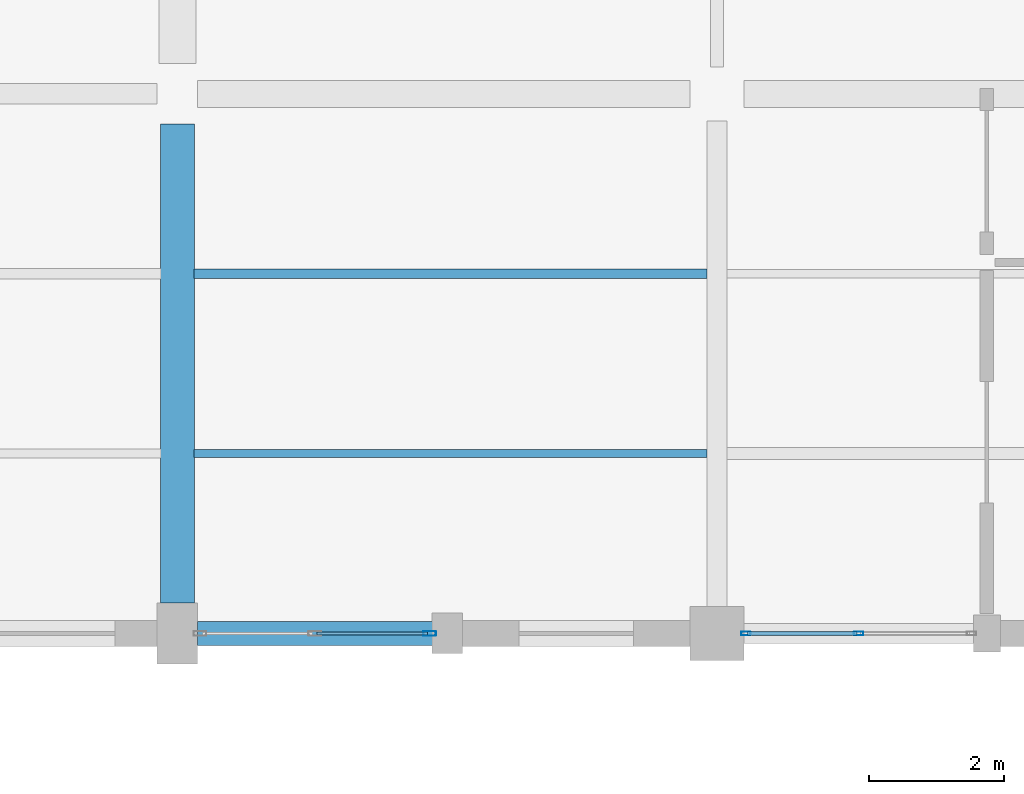
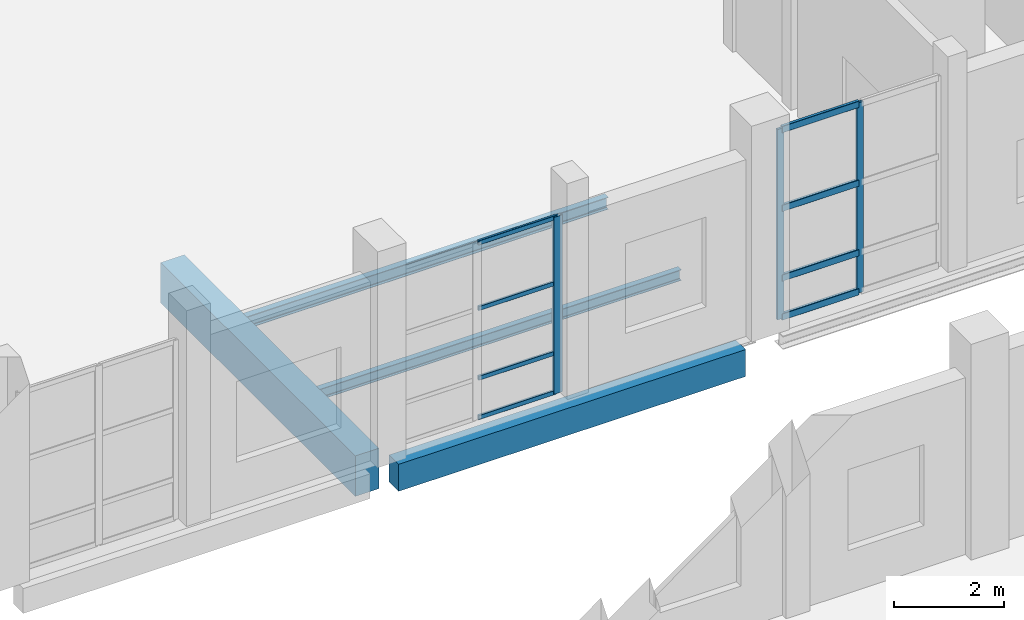
# One storey, part 84 of 156: 11 members, 4 beams, 2 elements without a shape of their own.
"""IFC4 building model written with IfcOpenShell, lengths in metres."""

from ifc_helpers import new_model, si_unit, direction, frame, origin, origin_2d, place, context, subcontext, project, spatial, rectangle, hollow_rectangle, i_section, extrude, material, material_profile, profile_set, type_object, element, aggregate, save


model = new_model("IFC4")

# Units and contexts
model_context = context("Model", 3, precision=1e-05, world=origin(), true_north=direction((0.0, 1.0)))
body_context = subcontext(model_context, "Body", "Model", "MODEL_VIEW")
ifc_project = project(units=[si_unit("LENGTHUNIT", "METRE"), si_unit("AREAUNIT", "SQUARE_METRE"), si_unit("VOLUMEUNIT", "CUBIC_METRE"), si_unit("PLANEANGLEUNIT", "RADIAN"), si_unit("MASSUNIT", "GRAM", prefix="KILO")], contexts=[model_context])

# Site, building, storey
site_placement = place(None, origin())
site = spatial("IfcSite", under=ifc_project, at=site_placement, CompositionType="ELEMENT")
building_placement = place(site_placement, origin())
building = spatial("IfcBuilding", under=site, at=building_placement, Name="Luwemba Playhouse", CompositionType="ELEMENT")
storey_placement = place(building_placement, origin())
storey = spatial("IfcBuildingStorey", under=building, at=storey_placement, Name="L00", CompositionType="ELEMENT", Elevation=0.0)

# Beams
ifc_material_1 = material(Name="Concrete C40/50", Category="concrete")
ifc_material_profile_1 = material_profile(ifc_material_1, rectangle(XDim=0.5, YDim=0.89990234375, at=origin_2d()))
ifc_profile_set_1 = profile_set([ifc_material_profile_1], Name="Concrete C40/50")
beam_type_1 = type_object("IfcBeamType", Name="BM-RB07", PredefinedType="BEAM", material=ifc_profile_set_1)
beam_1_placement = place(storey_placement, frame((148.0, 68.449951171875, -0.75), z_axis=(0.0, 1.0, 0.0), x_axis=(-1.0, 0.0, 0.0)))
element("IfcBeam", 1, at=beam_1_placement, inside=storey, type_object=beam_type_1, Name="L00 transverse girder 0138", PredefinedType="BEAM", context=body_context, shape_type="SweptSolid", body=[
    extrude(rectangle(XDim=0.5, YDim=0.89990234375, at=origin_2d()), origin(), (0.0, 0.0, 1.0), 7.10009765625),
])
ifc_material_2 = material(Name="Steel S355", Category="steel")
ifc_material_profile_2 = material_profile(ifc_material_2, i_section(OverallWidth=0.1201171875, OverallDepth=0.239990234375, WebThickness=0.006103515625, FlangeThickness=0.009765625, FilletRadius=0.014892578125, at=origin_2d()))
ifc_profile_set_2 = profile_set([ifc_material_profile_2], Name="Steel S355")
beam_type_2 = type_object("IfcBeamType", Name="BM-SJ03", PredefinedType="JOIST", material=ifc_profile_set_2)
beam_2_placement = place(storey_placement, frame((148.24609375, 70.666748046875, -0.419921875), z_axis=(1.0, 0.0, 0.0), x_axis=(0.0, 1.0, 0.0)))
element("IfcBeam", 2, at=beam_2_placement, inside=storey, type_object=beam_type_2, Name="L00 composite floor joist 0107", PredefinedType="JOIST", context=body_context, shape_type="SweptSolid", body=[
    extrude(i_section(OverallWidth=0.1201171875, OverallDepth=0.239990234375, WebThickness=0.006103515625, FlangeThickness=0.009765625, FilletRadius=0.014892578125, at=origin_2d()), origin(), (0.0, 0.0, 1.0), 7.60791015625),
])
ifc_material_profile_3 = material_profile(ifc_material_2, i_section(OverallWidth=0.135009765625, OverallDepth=0.27001953125, WebThickness=0.006591796875, FlangeThickness=0.01025390625, FilletRadius=0.014892578125, at=origin_2d()))
ifc_profile_set_3 = profile_set([ifc_material_profile_3], Name="Steel S355")
beam_type_3 = type_object("IfcBeamType", Name="BM-SJ04", PredefinedType="JOIST", material=ifc_profile_set_3)
beam_3_placement = place(storey_placement, frame((148.24609375, 73.333251953125, -0.43505859375), z_axis=(1.0, 0.0, 0.0), x_axis=(0.0, 1.0, 0.0)))
element("IfcBeam", 3, at=beam_3_placement, inside=storey, type_object=beam_type_3, Name="L00 composite floor joist 0108", PredefinedType="JOIST", context=body_context, shape_type="SweptSolid", body=[
    extrude(i_section(OverallWidth=0.135009765625, OverallDepth=0.27001953125, WebThickness=0.006591796875, FlangeThickness=0.01025390625, FilletRadius=0.014892578125, at=origin_2d()), origin(), (0.0, 0.0, 1.0), 7.60791015625),
])
ifc_material_profile_4 = material_profile(ifc_material_1, rectangle(XDim=0.35009765625, YDim=0.60009765625, at=origin_2d()))
ifc_profile_set_4 = profile_set([ifc_material_profile_4], Name="Concrete C40/50")
beam_type_4 = type_object("IfcBeamType", Name="BM-SP3", PredefinedType="SPANDREL", material=ifc_profile_set_4)
beam_4_placement = place(storey_placement, frame((148.300048828125, 68.0, -0.60009765625), z_axis=(1.0, 0.0, 0.0), x_axis=(0.0, 1.0, 0.0)))
element("IfcBeam", 4, at=beam_4_placement, inside=storey, type_object=beam_type_4, Name="L00 grid girder 0114", PredefinedType="SPANDREL", context=body_context, shape_type="SweptSolid", body=[
    extrude(rectangle(XDim=0.35009765625, YDim=0.60009765625, at=origin_2d()), origin(), (0.0, 0.0, 1.0), 7.300048828125),
])

# Curtain wall, members
ifc_material_3 = material(Name="Solar-control double glazing", Category="glass")
curtain_wall_type_1 = type_object("IfcCurtainWallType", Name="CW-CW20", PredefinedType="USERDEFINED", material=ifc_material_3)
curtain_wall_1_placement = place(storey_placement, origin())
curtain_wall_1 = element("IfcCurtainWall", 5, at=curtain_wall_1_placement, inside=storey, type_object=curtain_wall_type_1, Name="L00 V4 unitised curtain wall 021", ObjectType="UNITISED GLAZING", PredefinedType="USERDEFINED")
ifc_material_4 = material(Name="Aluminium 6063-T6", Category="aluminium")
ifc_material_profile_5 = material_profile(ifc_material_4, hollow_rectangle(XDim=0.054931640625, YDim=0.139892578125, WallThickness=0.00390625, InnerFilletRadius=0.006103515625, OuterFilletRadius=0.010009765625, at=origin_2d()))
ifc_profile_set_5 = profile_set([ifc_material_profile_5], Name="Aluminium 6063-T6")
member_type_1 = type_object("IfcMemberType", Name="CWM-M3", PredefinedType="MULLION", material=ifc_profile_set_5)
member_1_placement = place(storey_placement, frame((158.10009765625, 68.0, 0.0), z_axis=(0.0, 0.0, 1.0), x_axis=(0.0, -1.0, 0.0)))
member_1 = element("IfcMember", 6, at=member_1_placement, type_object=member_type_1, Name="CW20 mullion 2", PredefinedType="MULLION", context=body_context, shape_type="SweptSolid", body=[
    extrude(hollow_rectangle(XDim=0.054931640625, YDim=0.139892578125, WallThickness=0.00390625, InnerFilletRadius=0.006103515625, OuterFilletRadius=0.010009765625, at=origin_2d()), origin(), (0.0, 0.0, 1.0), 4.235107421875),
])
member_2_placement = place(storey_placement, frame((156.427490234375, 68.0, 0.0), z_axis=(0.0, 0.0, 1.0), x_axis=(0.0, -1.0, 0.0)))
member_2 = element("IfcMember", 7, at=member_2_placement, type_object=member_type_1, Name="CW20 mullion 3", PredefinedType="MULLION", context=body_context, shape_type="SweptSolid", body=[
    extrude(hollow_rectangle(XDim=0.054931640625, YDim=0.139892578125, WallThickness=0.00390625, InnerFilletRadius=0.006103515625, OuterFilletRadius=0.010009765625, at=origin_2d()), origin(), (0.0, 0.0, 1.0), 4.235107421875),
])

# Curtain wall, member
curtain_wall_type_2 = type_object("IfcCurtainWallType", Name="CW-CW21", PredefinedType="USERDEFINED", material=ifc_material_3)
curtain_wall_2_placement = place(storey_placement, origin())
curtain_wall_2 = element("IfcCurtainWall", 8, at=curtain_wall_2_placement, inside=storey, type_object=curtain_wall_type_2, Name="L00 V4 unitised curtain wall 022", ObjectType="UNITISED GLAZING", PredefinedType="USERDEFINED")
ifc_material_profile_6 = material_profile(ifc_material_4, hollow_rectangle(XDim=0.070068359375, YDim=0.18994140625, WallThickness=0.0048828125, InnerFilletRadius=0.007568359375, OuterFilletRadius=0.012451171875, at=origin_2d()))
ifc_profile_set_6 = profile_set([ifc_material_profile_6], Name="Aluminium 6063-T6")
member_type_2 = type_object("IfcMemberType", Name="CWM-M4", PredefinedType="MULLION", material=ifc_profile_set_6)
member_3_placement = place(storey_placement, frame((151.739990234375, 68.0, 0.0), z_axis=(0.0, 0.0, 1.0), x_axis=(0.0, -1.0, 0.0)))
member_3 = element("IfcMember", 9, at=member_3_placement, type_object=member_type_2, Name="CW21 mullion 1", PredefinedType="MULLION", context=body_context, shape_type="SweptSolid", body=[
    extrude(hollow_rectangle(XDim=0.070068359375, YDim=0.18994140625, WallThickness=0.0048828125, InnerFilletRadius=0.007568359375, OuterFilletRadius=0.012451171875, at=origin_2d()), origin(), (0.0, 0.0, 1.0), 3.93505859375),
])

# Member
ifc_material_profile_7 = material_profile(ifc_material_4, hollow_rectangle(XDim=0.06494140625, YDim=0.14990234375, WallThickness=0.00390625, InnerFilletRadius=0.006103515625, OuterFilletRadius=0.010009765625, at=origin_2d()))
ifc_profile_set_7 = profile_set([ifc_material_profile_7], Name="Aluminium 6063-T6")
member_type_3 = type_object("IfcMemberType", Name="CWT-T3", PredefinedType="USERDEFINED", material=ifc_profile_set_7)
member_4_placement = place(storey_placement, frame((158.072509765625, 68.0, 0.032470703125), z_axis=(-1.0, 0.0, 0.0), x_axis=(0.0, -1.0, 0.0)))
member_4 = element("IfcMember", 10, at=member_4_placement, type_object=member_type_3, Name="CW20 transom 2.1", ObjectType="TRANSOM", PredefinedType="USERDEFINED", context=body_context, shape_type="SweptSolid", body=[
    extrude(hollow_rectangle(XDim=0.06494140625, YDim=0.14990234375, WallThickness=0.00390625, InnerFilletRadius=0.006103515625, OuterFilletRadius=0.010009765625, at=origin_2d()), origin(), (0.0, 0.0, 1.0), 1.617431640625),
])

member_5_placement = place(storey_placement, frame((158.072509765625, 68.0, 0.89990234375), z_axis=(-1.0, 0.0, 0.0), x_axis=(0.0, -1.0, 0.0)))
member_5 = element("IfcMember", 11, at=member_5_placement, type_object=member_type_3, Name="CW20 transom 2.2", ObjectType="TRANSOM", PredefinedType="USERDEFINED", context=body_context, shape_type="SweptSolid", body=[
    extrude(hollow_rectangle(XDim=0.06494140625, YDim=0.14990234375, WallThickness=0.00390625, InnerFilletRadius=0.006103515625, OuterFilletRadius=0.010009765625, at=origin_2d()), origin(), (0.0, 0.0, 1.0), 1.617431640625),
])

member_6_placement = place(storey_placement, frame((158.072509765625, 68.0, 2.449951171875), z_axis=(-1.0, 0.0, 0.0), x_axis=(0.0, -1.0, 0.0)))
member_6 = element("IfcMember", 12, at=member_6_placement, type_object=member_type_3, Name="CW20 transom 2.3", ObjectType="TRANSOM", PredefinedType="USERDEFINED", context=body_context, shape_type="SweptSolid", body=[
    extrude(hollow_rectangle(XDim=0.06494140625, YDim=0.14990234375, WallThickness=0.00390625, InnerFilletRadius=0.006103515625, OuterFilletRadius=0.010009765625, at=origin_2d()), origin(), (0.0, 0.0, 1.0), 1.617431640625),
])

member_7_placement = place(storey_placement, frame((158.072509765625, 68.0, 4.202392578125), z_axis=(-1.0, 0.0, 0.0), x_axis=(0.0, -1.0, 0.0)))
member_7 = element("IfcMember", 13, at=member_7_placement, type_object=member_type_3, Name="CW20 transom 2.4", ObjectType="TRANSOM", PredefinedType="USERDEFINED", context=body_context, shape_type="SweptSolid", body=[
    extrude(hollow_rectangle(XDim=0.06494140625, YDim=0.14990234375, WallThickness=0.00390625, InnerFilletRadius=0.006103515625, OuterFilletRadius=0.010009765625, at=origin_2d()), origin(), (0.0, 0.0, 1.0), 1.617431640625),
])

aggregate(curtain_wall_1, [member_1, member_2, member_4, member_5, member_6, member_7])

ifc_material_profile_8 = material_profile(ifc_material_4, hollow_rectangle(XDim=0.050048828125, YDim=0.10009765625, WallThickness=0.00341796875, InnerFilletRadius=0.00537109375, OuterFilletRadius=0.0087890625, at=origin_2d()))
ifc_profile_set_8 = profile_set([ifc_material_profile_8], Name="Aluminium 6063-T6")
member_type_4 = type_object("IfcMemberType", Name="CWT-T4", PredefinedType="USERDEFINED", material=ifc_profile_set_8)
member_8_placement = place(storey_placement, frame((151.705078125, 68.0, 0.02490234375), z_axis=(-1.0, 0.0, 0.0), x_axis=(0.0, -1.0, 0.0)))
member_8 = element("IfcMember", 14, at=member_8_placement, type_object=member_type_4, Name="CW21 transom 1.1", ObjectType="TRANSOM", PredefinedType="USERDEFINED", context=body_context, shape_type="SweptSolid", body=[
    extrude(hollow_rectangle(XDim=0.050048828125, YDim=0.10009765625, WallThickness=0.00341796875, InnerFilletRadius=0.00537109375, OuterFilletRadius=0.0087890625, at=origin_2d()), origin(), (0.0, 0.0, 1.0), 1.632568359375),
])

member_9_placement = place(storey_placement, frame((151.705078125, 68.0, 0.89990234375), z_axis=(-1.0, 0.0, 0.0), x_axis=(0.0, -1.0, 0.0)))
member_9 = element("IfcMember", 15, at=member_9_placement, type_object=member_type_4, Name="CW21 transom 1.2", ObjectType="TRANSOM", PredefinedType="USERDEFINED", context=body_context, shape_type="SweptSolid", body=[
    extrude(hollow_rectangle(XDim=0.050048828125, YDim=0.10009765625, WallThickness=0.00341796875, InnerFilletRadius=0.00537109375, OuterFilletRadius=0.0087890625, at=origin_2d()), origin(), (0.0, 0.0, 1.0), 1.632568359375),
])

member_10_placement = place(storey_placement, frame((151.705078125, 68.0, 2.449951171875), z_axis=(-1.0, 0.0, 0.0), x_axis=(0.0, -1.0, 0.0)))
member_10 = element("IfcMember", 16, at=member_10_placement, type_object=member_type_4, Name="CW21 transom 1.3", ObjectType="TRANSOM", PredefinedType="USERDEFINED", context=body_context, shape_type="SweptSolid", body=[
    extrude(hollow_rectangle(XDim=0.050048828125, YDim=0.10009765625, WallThickness=0.00341796875, InnerFilletRadius=0.00537109375, OuterFilletRadius=0.0087890625, at=origin_2d()), origin(), (0.0, 0.0, 1.0), 1.632568359375),
])

member_11_placement = place(storey_placement, frame((151.705078125, 68.0, 3.909912109375), z_axis=(-1.0, 0.0, 0.0), x_axis=(0.0, -1.0, 0.0)))
member_11 = element("IfcMember", 17, at=member_11_placement, type_object=member_type_4, Name="CW21 transom 1.4", ObjectType="TRANSOM", PredefinedType="USERDEFINED", context=body_context, shape_type="SweptSolid", body=[
    extrude(hollow_rectangle(XDim=0.050048828125, YDim=0.10009765625, WallThickness=0.00341796875, InnerFilletRadius=0.00537109375, OuterFilletRadius=0.0087890625, at=origin_2d()), origin(), (0.0, 0.0, 1.0), 1.632568359375),
])

aggregate(curtain_wall_2, [member_3, member_8, member_9, member_10, member_11])

save(model, "model.ifc")
